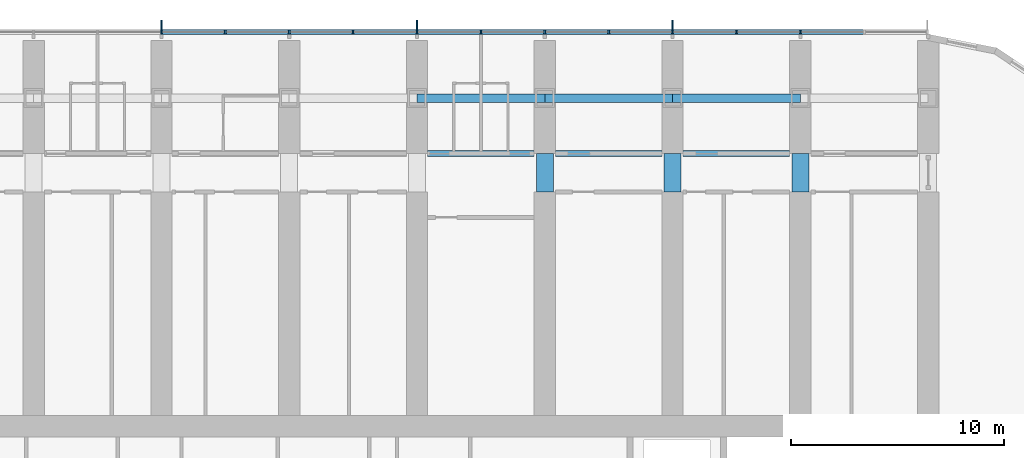
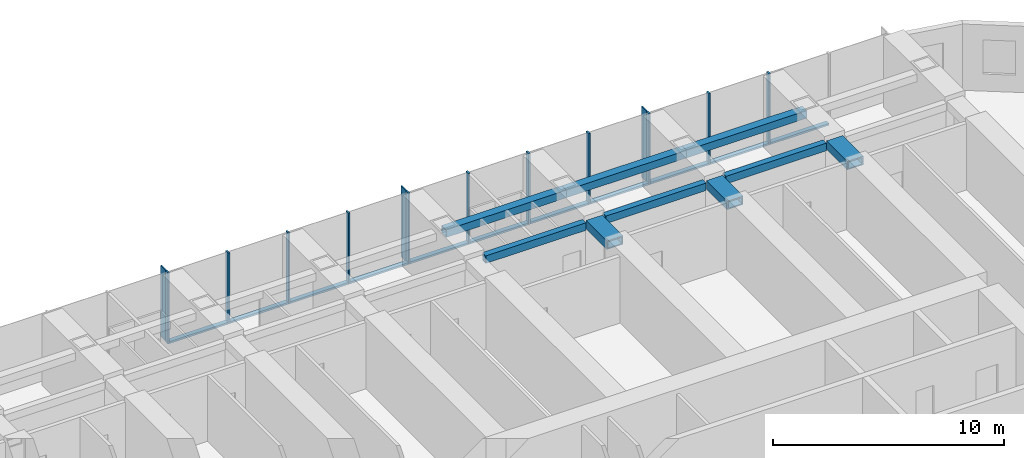
# One storey, part 5 of 22: 25 members, 9 beams, 1 element without a shape of its own.
"""IFC4 building model written with IfcOpenShell, lengths in metres."""

from ifc_helpers import new_model, si_unit, direction, frame, origin, origin_2d, place, context, subcontext, project, spatial, rectangle, hollow_rectangle, extrude, material, material_profile, profile_set, type_object, element, aggregate, save


model = new_model("IFC4")

# Units and contexts
model_context = context("Model", 3, precision=1e-05, world=origin(), true_north=direction((0.0, 1.0)))
body_context = subcontext(model_context, "Body", "Model", "MODEL_VIEW")
ifc_project = project(units=[si_unit("LENGTHUNIT", "METRE"), si_unit("AREAUNIT", "SQUARE_METRE"), si_unit("VOLUMEUNIT", "CUBIC_METRE"), si_unit("PLANEANGLEUNIT", "RADIAN"), si_unit("MASSUNIT", "GRAM", prefix="KILO")], contexts=[model_context])

# Site, building, storey
site_placement = place(None, origin())
site = spatial("IfcSite", under=ifc_project, at=site_placement, CompositionType="ELEMENT")
building_placement = place(site_placement, origin())
building = spatial("IfcBuilding", under=site, at=building_placement, Name="Orbita Commons", CompositionType="ELEMENT")
storey_placement = place(building_placement, frame((0.0, 0.0, 57.699951171875)))
storey = spatial("IfcBuildingStorey", under=building, at=storey_placement, Name="L14", CompositionType="ELEMENT", Elevation=57.699951171875)

# Curtain wall, members
ifc_material_1 = material(Name="Anodised aluminium frame, pale silver", Category="aluminium")
curtain_wall_type = type_object("IfcCurtainWallType", Name="Unitised curtain wall CW-T, vision and spandrel", PredefinedType="NOTDEFINED", material=ifc_material_1)
curtain_wall_placement = place(storey_placement, origin())
curtain_wall = element("IfcCurtainWall", 1, at=curtain_wall_placement, inside=storey, type_object=curtain_wall_type, Name="Curtain wall north L14", PredefinedType="NOTDEFINED")
ifc_material_2 = material(Name="Anodised aluminium, pale silver", Category="aluminium")
ifc_material_profile_1 = material_profile(ifc_material_2, rectangle(XDim=0.080078125, YDim=0.219970703125, at=origin_2d()), Name="AL 80x220")
ifc_profile_set_1 = profile_set([ifc_material_profile_1], Name="Anodised aluminium, pale silver")
member_type_1 = type_object("IfcMemberType", Name="Curtain wall mullion 80x220", PredefinedType="MULLION", material=ifc_profile_set_1)
member_1_placement = place(storey_placement, frame((66.0, 56.7099609375, -0.25), z_axis=(0.0, 0.0, 1.0), x_axis=(-1.0, 0.0, 0.0)))
member_1 = element("IfcMember", 2, at=member_1_placement, type_object=member_type_1, Name="Mullion 3 CW-L14-N", PredefinedType="MULLION", context=body_context, shape_type="SweptSolid", body=[
    extrude(rectangle(XDim=0.080078125, YDim=0.219970703125, at=origin_2d()), origin(), (0.0, 0.0, 1.0), 3.75),
])
member_2_placement = place(storey_placement, frame((63.0, 56.7099609375, -0.25), z_axis=(0.0, 0.0, 1.0), x_axis=(-1.0, 0.0, 0.0)))
member_2 = element("IfcMember", 3, at=member_2_placement, type_object=member_type_1, Name="Mullion 4 CW-L14-N", PredefinedType="MULLION", context=body_context, shape_type="SweptSolid", body=[
    extrude(rectangle(XDim=0.080078125, YDim=0.219970703125, at=origin_2d()), origin(), (0.0, 0.0, 1.0), 3.75),
])
member_3_placement = place(storey_placement, frame((60.0, 56.7099609375, -0.25), z_axis=(0.0, 0.0, 1.0), x_axis=(-1.0, 0.0, 0.0)))
member_3 = element("IfcMember", 4, at=member_3_placement, type_object=member_type_1, Name="Mullion 5 CW-L14-N", PredefinedType="MULLION", context=body_context, shape_type="SweptSolid", body=[
    extrude(rectangle(XDim=0.080078125, YDim=0.219970703125, at=origin_2d()), origin(), (0.0, 0.0, 1.0), 3.75),
])
member_4_placement = place(storey_placement, frame((57.0, 56.7099609375, -0.25), z_axis=(0.0, 0.0, 1.0), x_axis=(-1.0, 0.0, 0.0)))
member_4 = element("IfcMember", 5, at=member_4_placement, type_object=member_type_1, Name="Mullion 6 CW-L14-N", PredefinedType="MULLION", context=body_context, shape_type="SweptSolid", body=[
    extrude(rectangle(XDim=0.080078125, YDim=0.219970703125, at=origin_2d()), origin(), (0.0, 0.0, 1.0), 3.75),
])
member_5_placement = place(storey_placement, frame((54.0, 56.7099609375, -0.25), z_axis=(0.0, 0.0, 1.0), x_axis=(-1.0, 0.0, 0.0)))
member_5 = element("IfcMember", 6, at=member_5_placement, type_object=member_type_1, Name="Mullion 7 CW-L14-N", PredefinedType="MULLION", context=body_context, shape_type="SweptSolid", body=[
    extrude(rectangle(XDim=0.080078125, YDim=0.219970703125, at=origin_2d()), origin(), (0.0, 0.0, 1.0), 3.75),
])
member_6_placement = place(storey_placement, frame((51.0, 56.7099609375, -0.25), z_axis=(0.0, 0.0, 1.0), x_axis=(-1.0, 0.0, 0.0)))
member_6 = element("IfcMember", 7, at=member_6_placement, type_object=member_type_1, Name="Mullion 8 CW-L14-N", PredefinedType="MULLION", context=body_context, shape_type="SweptSolid", body=[
    extrude(rectangle(XDim=0.080078125, YDim=0.219970703125, at=origin_2d()), origin(), (0.0, 0.0, 1.0), 3.75),
])
member_7_placement = place(storey_placement, frame((48.0, 56.7099609375, -0.25), z_axis=(0.0, 0.0, 1.0), x_axis=(-1.0, 0.0, 0.0)))
member_7 = element("IfcMember", 8, at=member_7_placement, type_object=member_type_1, Name="Mullion 9 CW-L14-N", PredefinedType="MULLION", context=body_context, shape_type="SweptSolid", body=[
    extrude(rectangle(XDim=0.080078125, YDim=0.219970703125, at=origin_2d()), origin(), (0.0, 0.0, 1.0), 3.75),
])
member_8_placement = place(storey_placement, frame((45.0, 56.7099609375, -0.25), z_axis=(0.0, 0.0, 1.0), x_axis=(-1.0, 0.0, 0.0)))
member_8 = element("IfcMember", 9, at=member_8_placement, type_object=member_type_1, Name="Mullion 10 CW-L14-N", PredefinedType="MULLION", context=body_context, shape_type="SweptSolid", body=[
    extrude(rectangle(XDim=0.080078125, YDim=0.219970703125, at=origin_2d()), origin(), (0.0, 0.0, 1.0), 3.75),
])
member_9_placement = place(storey_placement, frame((42.0, 56.7099609375, -0.25), z_axis=(0.0, 0.0, 1.0), x_axis=(-1.0, 0.0, 0.0)))
member_9 = element("IfcMember", 10, at=member_9_placement, type_object=member_type_1, Name="Mullion 11 CW-L14-N", PredefinedType="MULLION", context=body_context, shape_type="SweptSolid", body=[
    extrude(rectangle(XDim=0.080078125, YDim=0.219970703125, at=origin_2d()), origin(), (0.0, 0.0, 1.0), 3.75),
])
member_10_placement = place(storey_placement, frame((39.0, 56.7099609375, -0.25), z_axis=(0.0, 0.0, 1.0), x_axis=(-1.0, 0.0, 0.0)))
member_10 = element("IfcMember", 11, at=member_10_placement, type_object=member_type_1, Name="Mullion 12 CW-L14-N", PredefinedType="MULLION", context=body_context, shape_type="SweptSolid", body=[
    extrude(rectangle(XDim=0.080078125, YDim=0.219970703125, at=origin_2d()), origin(), (0.0, 0.0, 1.0), 3.75),
])
member_11_placement = place(storey_placement, frame((36.0, 56.7099609375, -0.25), z_axis=(0.0, 0.0, 1.0), x_axis=(-1.0, 0.0, 0.0)))
member_11 = element("IfcMember", 12, at=member_11_placement, type_object=member_type_1, Name="Mullion 13 CW-L14-N", PredefinedType="MULLION", context=body_context, shape_type="SweptSolid", body=[
    extrude(rectangle(XDim=0.080078125, YDim=0.219970703125, at=origin_2d()), origin(), (0.0, 0.0, 1.0), 3.75),
])
ifc_material_3 = material(Name="Anodised aluminium, pale silver", Category="aluminium")
ifc_material_profile_2 = material_profile(ifc_material_3, rectangle(XDim=0.219970703125, YDim=0.10009765625, at=origin_2d()), Name="AL 220x100")
ifc_profile_set_2 = profile_set([ifc_material_profile_2], Name="Anodised aluminium, pale silver")
member_type_2 = type_object("IfcMemberType", Name="Curtain wall stack transom 220x100", PredefinedType="USERDEFINED", material=ifc_profile_set_2)
member_12_placement = place(storey_placement, frame((68.9599609375, 56.7099609375, -0.199951171875), z_axis=(-1.0, 0.0, 0.0), x_axis=(0.0, -1.0, 0.0)))
member_12 = element("IfcMember", 13, at=member_12_placement, type_object=member_type_2, Name="Transom 2.1 CW-L14-N", ObjectType="TRANSOM", PredefinedType="USERDEFINED", context=body_context, shape_type="SweptSolid", body=[
    extrude(rectangle(XDim=0.219970703125, YDim=0.10009765625, at=origin_2d()), origin(), (0.0, 0.0, 1.0), 2.919921875),
])
member_13_placement = place(storey_placement, frame((65.9599609375, 56.7099609375, -0.199951171875), z_axis=(-1.0, 0.0, 0.0), x_axis=(0.0, -1.0, 0.0)))
member_13 = element("IfcMember", 14, at=member_13_placement, type_object=member_type_2, Name="Transom 3.1 CW-L14-N", ObjectType="TRANSOM", PredefinedType="USERDEFINED", context=body_context, shape_type="SweptSolid", body=[
    extrude(rectangle(XDim=0.219970703125, YDim=0.10009765625, at=origin_2d()), origin(), (0.0, 0.0, 1.0), 2.919921875),
])
member_14_placement = place(storey_placement, frame((62.9599609375, 56.7099609375, -0.199951171875), z_axis=(-1.0, 0.0, 0.0), x_axis=(0.0, -1.0, 0.0)))
member_14 = element("IfcMember", 15, at=member_14_placement, type_object=member_type_2, Name="Transom 4.1 CW-L14-N", ObjectType="TRANSOM", PredefinedType="USERDEFINED", context=body_context, shape_type="SweptSolid", body=[
    extrude(rectangle(XDim=0.219970703125, YDim=0.10009765625, at=origin_2d()), origin(), (0.0, 0.0, 1.0), 2.919921875),
])
member_15_placement = place(storey_placement, frame((59.9599609375, 56.7099609375, -0.199951171875), z_axis=(-1.0, 0.0, 0.0), x_axis=(0.0, -1.0, 0.0)))
member_15 = element("IfcMember", 16, at=member_15_placement, type_object=member_type_2, Name="Transom 5.1 CW-L14-N", ObjectType="TRANSOM", PredefinedType="USERDEFINED", context=body_context, shape_type="SweptSolid", body=[
    extrude(rectangle(XDim=0.219970703125, YDim=0.10009765625, at=origin_2d()), origin(), (0.0, 0.0, 1.0), 2.919921875),
])
member_16_placement = place(storey_placement, frame((56.9599609375, 56.7099609375, -0.199951171875), z_axis=(-1.0, 0.0, 0.0), x_axis=(0.0, -1.0, 0.0)))
member_16 = element("IfcMember", 17, at=member_16_placement, type_object=member_type_2, Name="Transom 6.1 CW-L14-N", ObjectType="TRANSOM", PredefinedType="USERDEFINED", context=body_context, shape_type="SweptSolid", body=[
    extrude(rectangle(XDim=0.219970703125, YDim=0.10009765625, at=origin_2d()), origin(), (0.0, 0.0, 1.0), 2.919921875),
])
member_17_placement = place(storey_placement, frame((53.9599609375, 56.7099609375, -0.199951171875), z_axis=(-1.0, 0.0, 0.0), x_axis=(0.0, -1.0, 0.0)))
member_17 = element("IfcMember", 18, at=member_17_placement, type_object=member_type_2, Name="Transom 7.1 CW-L14-N", ObjectType="TRANSOM", PredefinedType="USERDEFINED", context=body_context, shape_type="SweptSolid", body=[
    extrude(rectangle(XDim=0.219970703125, YDim=0.10009765625, at=origin_2d()), origin(), (0.0, 0.0, 1.0), 2.919921875),
])
member_18_placement = place(storey_placement, frame((50.9599609375, 56.7099609375, -0.199951171875), z_axis=(-1.0, 0.0, 0.0), x_axis=(0.0, -1.0, 0.0)))
member_18 = element("IfcMember", 19, at=member_18_placement, type_object=member_type_2, Name="Transom 8.1 CW-L14-N", ObjectType="TRANSOM", PredefinedType="USERDEFINED", context=body_context, shape_type="SweptSolid", body=[
    extrude(rectangle(XDim=0.219970703125, YDim=0.10009765625, at=origin_2d()), origin(), (0.0, 0.0, 1.0), 2.919921875),
])
member_19_placement = place(storey_placement, frame((47.9599609375, 56.7099609375, -0.199951171875), z_axis=(-1.0, 0.0, 0.0), x_axis=(0.0, -1.0, 0.0)))
member_19 = element("IfcMember", 20, at=member_19_placement, type_object=member_type_2, Name="Transom 9.1 CW-L14-N", ObjectType="TRANSOM", PredefinedType="USERDEFINED", context=body_context, shape_type="SweptSolid", body=[
    extrude(rectangle(XDim=0.219970703125, YDim=0.10009765625, at=origin_2d()), origin(), (0.0, 0.0, 1.0), 2.919921875),
])
member_20_placement = place(storey_placement, frame((44.9599609375, 56.7099609375, -0.199951171875), z_axis=(-1.0, 0.0, 0.0), x_axis=(0.0, -1.0, 0.0)))
member_20 = element("IfcMember", 21, at=member_20_placement, type_object=member_type_2, Name="Transom 10.1 CW-L14-N", ObjectType="TRANSOM", PredefinedType="USERDEFINED", context=body_context, shape_type="SweptSolid", body=[
    extrude(rectangle(XDim=0.219970703125, YDim=0.10009765625, at=origin_2d()), origin(), (0.0, 0.0, 1.0), 2.919921875),
])
member_21_placement = place(storey_placement, frame((41.9599609375, 56.7099609375, -0.199951171875), z_axis=(-1.0, 0.0, 0.0), x_axis=(0.0, -1.0, 0.0)))
member_21 = element("IfcMember", 22, at=member_21_placement, type_object=member_type_2, Name="Transom 11.1 CW-L14-N", ObjectType="TRANSOM", PredefinedType="USERDEFINED", context=body_context, shape_type="SweptSolid", body=[
    extrude(rectangle(XDim=0.219970703125, YDim=0.10009765625, at=origin_2d()), origin(), (0.0, 0.0, 1.0), 2.919921875),
])
member_22_placement = place(storey_placement, frame((38.9599609375, 56.7099609375, -0.199951171875), z_axis=(-1.0, 0.0, 0.0), x_axis=(0.0, -1.0, 0.0)))
member_22 = element("IfcMember", 23, at=member_22_placement, type_object=member_type_2, Name="Transom 12.1 CW-L14-N", ObjectType="TRANSOM", PredefinedType="USERDEFINED", context=body_context, shape_type="SweptSolid", body=[
    extrude(rectangle(XDim=0.219970703125, YDim=0.10009765625, at=origin_2d()), origin(), (0.0, 0.0, 1.0), 2.919921875),
])

# Beams
ifc_material_4 = material(Name="Steel ASTM A572 Gr 50 welded plate", Category="steel")
ifc_material_profile_3 = material_profile(ifc_material_4, hollow_rectangle(XDim=0.300048828125, YDim=0.39990234375, WallThickness=0.0400390625, at=origin_2d()), Name="BOX 400x300x40")
ifc_profile_set_3 = profile_set([ifc_material_profile_3], Name="Steel ASTM A572 Gr 50 welded plate")
beam_type_1 = type_object("IfcBeamType", Name="Steel corridor link BOX 400x300x40", PredefinedType="BEAM", material=ifc_profile_set_3)
for number, where, z_axis, x_axis, name in (
    (24, (48.5, 51.0, 3.300048828125), (1.0, 0.0, 0.0), (0.0, 1.0, 0.0), "Corridor beam NB 9-10 L14"),
    (25, (54.5, 51.0, 3.300048828125), (1.0, 0.0, 0.0), (0.0, 1.0, 0.0), "Corridor beam NB 10-11 L14"),
    (26, (60.5, 51.0, 3.300048828125), (1.0, 0.0, 0.0), (0.0, 1.0, 0.0), "Corridor beam NB 11-12 L14"),
):
    element("IfcBeam", number, at=place(storey_placement, frame(where, z_axis=z_axis, x_axis=x_axis)), inside=storey, type_object=beam_type_1, Name=name, PredefinedType="BEAM", context=body_context, shape_type="SweptSolid", body=[
        extrude(hollow_rectangle(XDim=0.300048828125, YDim=0.39990234375, WallThickness=0.0400390625, at=origin_2d()), origin(), (0.0, 0.0, 1.0), 5.0),
    ])
ifc_material_5 = material(Name="Steel ASTM A572 Gr 50 welded plate", Category="steel")
ifc_material_profile_4 = material_profile(ifc_material_5, hollow_rectangle(XDim=0.800048828125, YDim=0.449951171875, WallThickness=0.06005859375, at=origin_2d()), Name="BOX 450x800x60")
ifc_profile_set_4 = profile_set([ifc_material_profile_4], Name="Steel ASTM A572 Gr 50 welded plate")
beam_type_2 = type_object("IfcBeamType", Name="Steel coupling link BOX 450x800x60", PredefinedType="LINTEL", material=ifc_profile_set_4)
for number, where, z_axis, x_axis, name in (
    (27, (54.0, 49.199951171875, 3.275146484375), (0.0, 1.0, 0.0), (-1.0, 0.0, 0.0), "Coupling beam 10 north L14"),
    (28, (60.0, 49.199951171875, 3.275146484375), (0.0, 1.0, 0.0), (-1.0, 0.0, 0.0), "Coupling beam 11 north L14"),
    (29, (66.0, 49.199951171875, 3.275146484375), (0.0, 1.0, 0.0), (-1.0, 0.0, 0.0), "Coupling beam 12 north L14"),
):
    element("IfcBeam", number, at=place(storey_placement, frame(where, z_axis=z_axis, x_axis=x_axis)), inside=storey, type_object=beam_type_2, Name=name, PredefinedType="LINTEL", context=body_context, shape_type="SweptSolid", body=[
        extrude(hollow_rectangle(XDim=0.800048828125, YDim=0.449951171875, WallThickness=0.06005859375, at=origin_2d()), origin(), (0.0, 0.0, 1.0), 1.800048828125),
    ])
ifc_material_6 = material(Name="Steel ASTM A572 Gr 50 welded plate", Category="steel")
ifc_material_profile_5 = material_profile(ifc_material_6, hollow_rectangle(XDim=0.39990234375, YDim=0.39990234375, WallThickness=0.0400390625, at=origin_2d()), Name="BOX 400x400x40")
ifc_profile_set_5 = profile_set([ifc_material_profile_5], Name="Steel ASTM A572 Gr 50 welded plate")
beam_type_3 = type_object("IfcBeamType", Name="Steel spandrel BOX 400x400x40", PredefinedType="SPANDREL", material=ifc_profile_set_5)
for number, where, z_axis, x_axis, name in (
    (30, (48.0, 53.60009765625, 3.300048828125), (1.0, 0.0, 0.0), (0.0, 1.0, 0.0), "Spandrel beam E 9-10 L14"),
    (31, (54.0, 53.60009765625, 3.300048828125), (1.0, 0.0, 0.0), (0.0, 1.0, 0.0), "Spandrel beam E 10-11 L14"),
    (32, (60.0, 53.60009765625, 3.300048828125), (1.0, 0.0, 0.0), (0.0, 1.0, 0.0), "Spandrel beam E 11-12 L14"),
):
    element("IfcBeam", number, at=place(storey_placement, frame(where, z_axis=z_axis, x_axis=x_axis)), inside=storey, type_object=beam_type_3, Name=name, PredefinedType="SPANDREL", context=body_context, shape_type="SweptSolid", body=[
        extrude(hollow_rectangle(XDim=0.39990234375, YDim=0.39990234375, WallThickness=0.0400390625, at=origin_2d()), origin(), (0.0, 0.0, 1.0), 6.0),
    ])

# Member
ifc_material_7 = material(Name="Anodised aluminium, pale silver", Category="aluminium")
ifc_material_profile_6 = material_profile(ifc_material_7, rectangle(XDim=0.06005859375, YDim=0.449951171875, at=origin_2d()), Name="FIN 60x450")
ifc_profile_set_6 = profile_set([ifc_material_profile_6], Name="Anodised aluminium, pale silver")
member_type_3 = type_object("IfcMemberType", Name="Vertical fin 60x450 pale aluminium", PredefinedType="USERDEFINED", material=ifc_profile_set_6)
member_23_placement = place(storey_placement, frame((60.0, 57.044921875, -0.25), z_axis=(0.0, 0.0, 1.0), x_axis=(-1.0, 0.0, 0.0)))
member_23 = element("IfcMember", 33, at=member_23_placement, type_object=member_type_3, Name="Fin 5 CW-L14-N", ObjectType="FIN", PredefinedType="USERDEFINED", context=body_context, shape_type="SweptSolid", body=[
    extrude(rectangle(XDim=0.06005859375, YDim=0.449951171875, at=origin_2d()), origin(), (0.0, 0.0, 1.0), 3.75),
])

member_24_placement = place(storey_placement, frame((48.0, 57.044921875, -0.25), z_axis=(0.0, 0.0, 1.0), x_axis=(-1.0, 0.0, 0.0)))
member_24 = element("IfcMember", 34, at=member_24_placement, type_object=member_type_3, Name="Fin 9 CW-L14-N", ObjectType="FIN", PredefinedType="USERDEFINED", context=body_context, shape_type="SweptSolid", body=[
    extrude(rectangle(XDim=0.06005859375, YDim=0.449951171875, at=origin_2d()), origin(), (0.0, 0.0, 1.0), 3.75),
])

member_25_placement = place(storey_placement, frame((36.0, 57.044921875, -0.25), z_axis=(0.0, 0.0, 1.0), x_axis=(-1.0, 0.0, 0.0)))
member_25 = element("IfcMember", 35, at=member_25_placement, type_object=member_type_3, Name="Fin 13 CW-L14-N", ObjectType="FIN", PredefinedType="USERDEFINED", context=body_context, shape_type="SweptSolid", body=[
    extrude(rectangle(XDim=0.06005859375, YDim=0.449951171875, at=origin_2d()), origin(), (0.0, 0.0, 1.0), 3.75),
])

aggregate(curtain_wall, [member_1, member_2, member_3, member_23, member_4, member_5, member_6, member_7, member_24, member_8, member_9, member_10, member_11, member_25, member_12, member_13, member_14, member_15, member_16, member_17, member_18, member_19, member_20, member_21, member_22])

save(model, "model.ifc")
